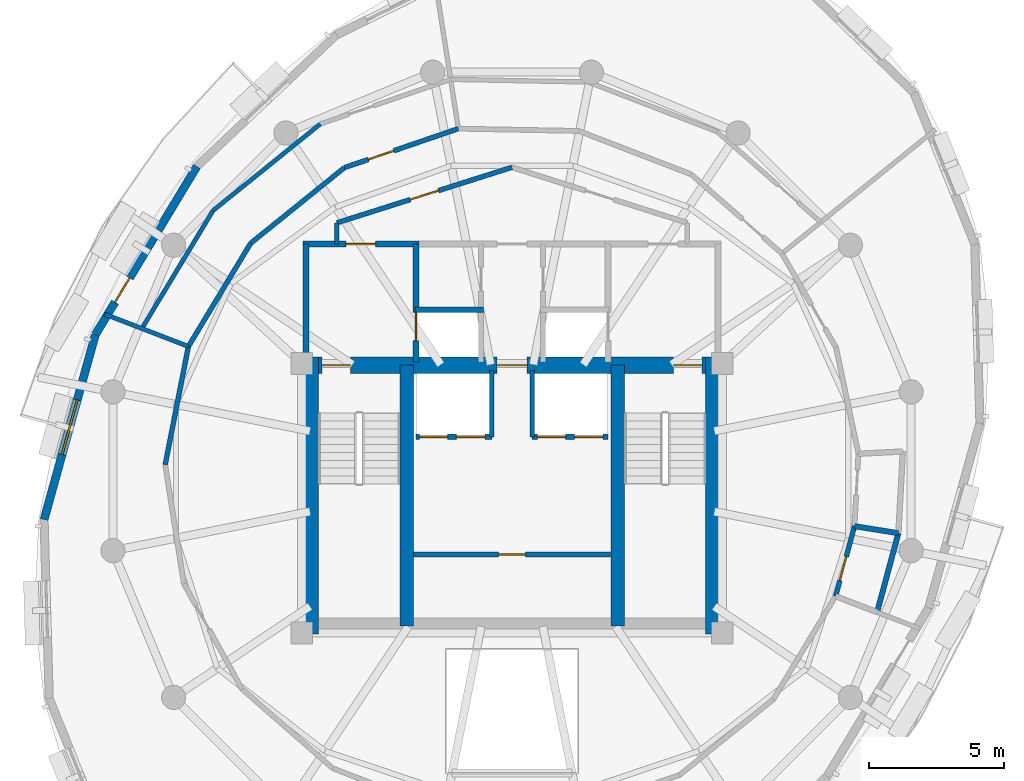
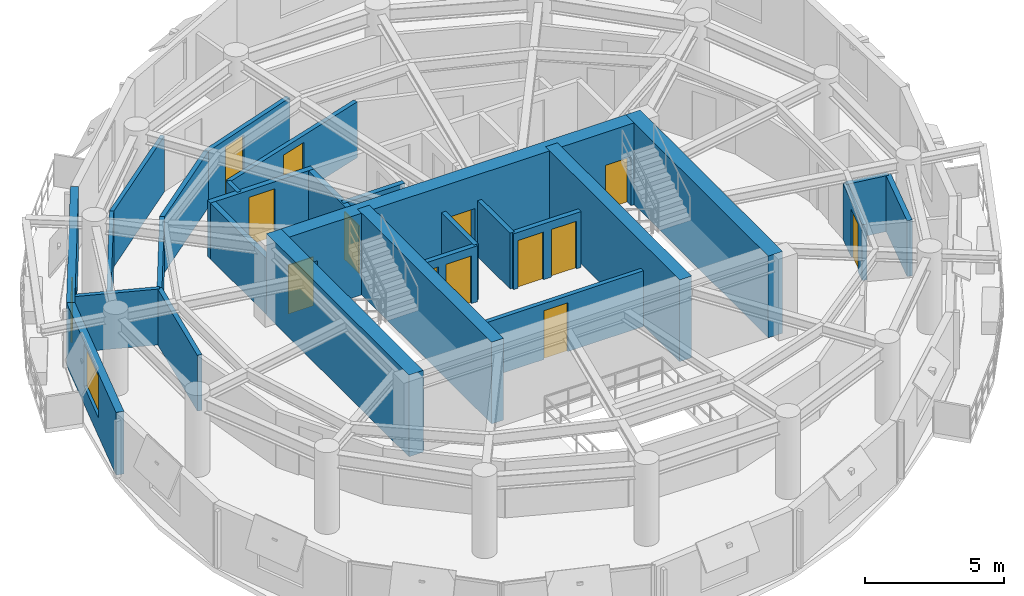
# One storey, part 7 of 11: 28 walls, 14 doors, 1 window, 15 openings.
"""IFC4 building model written with IfcOpenShell, lengths in metres."""

from ifc_helpers import new_model, si_unit, direction, frame, frame_2d, origin, place, context, subcontext, project, spatial, rectangle, extrude, material, layer, layer_set, type_object, element, fill, save


model = new_model("IFC4")

# Units and contexts
model_context = context("Model", 3, precision=1e-05, world=origin(), true_north=direction((0.0, 1.0)))
body_context = subcontext(model_context, "Body", "Model", "MODEL_VIEW")
ifc_project = project(units=[si_unit("LENGTHUNIT", "METRE"), si_unit("AREAUNIT", "SQUARE_METRE"), si_unit("VOLUMEUNIT", "CUBIC_METRE"), si_unit("PLANEANGLEUNIT", "RADIAN"), si_unit("MASSUNIT", "GRAM", prefix="KILO"), si_unit("THERMODYNAMICTEMPERATUREUNIT", "KELVIN"), si_unit("POWERUNIT", "WATT")], contexts=[model_context])

# Site, building, storey
site_placement = place(None, origin())
site = spatial("IfcSite", under=ifc_project, at=site_placement, CompositionType="ELEMENT")
building_placement = place(site_placement, origin())
building = spatial("IfcBuilding", under=site, at=building_placement, Name="Ocrelia Relay Tower", CompositionType="ELEMENT")
storey_placement = place(building_placement, frame((0.0, 0.0, 273.60009765625)))
storey = spatial("IfcBuildingStorey", under=building, at=storey_placement, Name="L68", CompositionType="ELEMENT", Elevation=273.60009765625)

# Wall, openings, doors
ifc_material_1 = material(Name="Concrete C50/60", Category="concrete")
ifc_layer_1 = layer(ifc_material_1, 0.60009765625, Name="Concrete C50/60")
ifc_layer_set_1 = layer_set([ifc_layer_1], Name="Concrete C50/60")
wall_type_1 = type_object("IfcWallType", Name="CW-CORE-600B", PredefinedType="SHEAR", material=ifc_layer_set_1)
wall_1_placement = place(storey_placement, frame((26.221923828125, 29.93798828125, 0.0), z_axis=(0.0, 0.0, 1.0), x_axis=(1.0, 0.0, 0.0)))
wall_1 = element("IfcWall", 1, at=wall_1_placement, inside=storey, type_object=wall_type_1, Name="L68 Core Shear Wall N", PredefinedType="SHEAR", context=body_context, shape_type="SweptSolid", body=[
    extrude(rectangle(XDim=15.566162109375, YDim=0.60009765625, at=frame_2d((7.783203125, 0.0))), origin(), (0.0, 0.0, 1.0), 3.599853515625),
])
opening_1_placement = place(wall_1_placement, frame((0.72802734375, 0.0, 0.0)))
opening_1 = element("IfcOpeningElement", 2, at=opening_1_placement, cuts=wall_1, Name="Opening D-FD90", PredefinedType="OPENING", context=body_context, shape_type="SweptSolid", body=[
    extrude(rectangle(XDim=1.050048828125, YDim=2.14990234375, at=frame_2d((0.52490234375, 1.074951171875))), frame((0.0, 0.31005859375, 0.0), z_axis=(0.0, -1.0, 0.0), x_axis=(1.0, 0.0, 0.0)), (0.0, 0.0, 1.0), 0.6201171875),
])
opening_2_placement = place(wall_1_placement, frame((13.778076171875, 0.0, 0.0)))
opening_2 = element("IfcOpeningElement", 3, at=opening_2_placement, cuts=wall_1, Name="Opening D-FD90", PredefinedType="OPENING", context=body_context, shape_type="SweptSolid", body=[
    extrude(rectangle(XDim=1.050048828125, YDim=2.14990234375, at=frame_2d((0.52490234375, 1.074951171875))), frame((0.0, 0.31005859375, 0.0), z_axis=(0.0, -1.0, 0.0), x_axis=(1.0, 0.0, 0.0)), (0.0, 0.0, 1.0), 0.6201171875),
])
opening_3_placement = place(wall_1_placement, frame((7.22802734375, 0.0, 0.0)))
opening_3 = element("IfcOpeningElement", 4, at=opening_3_placement, cuts=wall_1, Name="Opening D-FD60", PredefinedType="OPENING", context=body_context, shape_type="SweptSolid", body=[
    extrude(rectangle(XDim=1.10009765625, YDim=2.14990234375, at=frame_2d((0.550048828125, 1.074951171875))), frame((0.0, 0.31005859375, 0.0), z_axis=(0.0, -1.0, 0.0), x_axis=(1.0, 0.0, 0.0)), (0.0, 0.0, 1.0), 0.6201171875),
])
ifc_material_2 = material(Name="Timber-core 60-min acoustic fire door", Category="wood")
door_type_1 = type_object("IfcDoorType", Name="DR-LOBBY-FD60-1100", OperationType="NOTDEFINED", PredefinedType="DOOR", material=ifc_material_2)
door_1_placement = place(opening_3_placement, origin())
door_1 = element("IfcDoor", 5, at=door_1_placement, inside=storey, type_object=door_type_1, Name="L68 Core Lift Lobby North Fire Door", OperationType="SINGLE_SWING_RIGHT", OverallHeight=2.14990234375, OverallWidth=1.10009765625, PredefinedType="DOOR", context=body_context, shape_type="SweptSolid", body=[
    extrude(rectangle(XDim=1.10009765625, YDim=2.14990234375, at=frame_2d((0.550048828125, 1.074951171875))), frame((0.0, 0.02490234375, 0.0), z_axis=(0.0, -1.0, 0.0), x_axis=(1.0, 0.0, 0.0)), (0.0, 0.0, 1.0), 0.050048828125),
])
fill(opening_3, door_1)
ifc_material_3 = material(Name="Steel S355 90-min fire door", Category="steel")
door_type_2 = type_object("IfcDoorType", Name="DR-STAIR-FD90-1050", OperationType="NOTDEFINED", PredefinedType="DOOR", material=ifc_material_3)
door_2_placement = place(opening_1_placement, origin())
door_2 = element("IfcDoor", 6, at=door_2_placement, inside=storey, type_object=door_type_2, Name="L68 Stair ST1 Fire Door", OperationType="SINGLE_SWING_RIGHT", OverallHeight=2.14990234375, OverallWidth=1.050048828125, PredefinedType="DOOR", context=body_context, shape_type="SweptSolid", body=[
    extrude(rectangle(XDim=1.050048828125, YDim=2.14990234375, at=frame_2d((0.52490234375, 1.074951171875))), frame((0.0, 0.02490234375, 0.0), z_axis=(0.0, -1.0, 0.0), x_axis=(1.0, 0.0, 0.0)), (0.0, 0.0, 1.0), 0.050048828125),
])
fill(opening_1, door_2)
door_3_placement = place(opening_2_placement, origin())
door_3 = element("IfcDoor", 7, at=door_3_placement, inside=storey, type_object=door_type_2, Name="L68 Stair ST2 Fire Door", OperationType="SINGLE_SWING_LEFT", OverallHeight=2.14990234375, OverallWidth=1.050048828125, PredefinedType="DOOR", context=body_context, shape_type="SweptSolid", body=[
    extrude(rectangle(XDim=1.050048828125, YDim=2.14990234375, at=frame_2d((0.52490234375, 1.074951171875))), frame((0.0, 0.02490234375, 0.0), z_axis=(0.0, -1.0, 0.0), x_axis=(1.0, 0.0, 0.0)), (0.0, 0.0, 1.0), 0.050048828125),
])
fill(opening_2, door_3)

# Walls
for number, where, z_axis, x_axis, name in (
    (8, (26.52197265625, 19.9619140625, 0.0), (0.0, 0.0, 1.0), (0.0, 1.0, 0.0), "L68 Core Shear Wall W"),
    (9, (41.488037109375, 19.9619140625, 0.0), (0.0, 0.0, 1.0), (0.0, 1.0, 0.0), "L68 Core Shear Wall E"),
):
    element("IfcWall", number, at=place(storey_placement, frame(where, z_axis=z_axis, x_axis=x_axis)), inside=storey, type_object=wall_type_1, Name=name, PredefinedType="SHEAR", context=body_context, shape_type="SweptSolid", body=[
        extrude(rectangle(XDim=10.276123046875, YDim=0.60009765625, at=frame_2d((5.13818359375, 0.0))), origin(), (0.0, 0.0, 1.0), 3.599853515625),
    ])
for number, where, z_axis, x_axis, name in (
    (10, (30.087890625, 20.261962890625, 0.0), (0.0, 0.0, 1.0), (0.0, 1.0, 0.0), "L68 Core Shear Wall SPW"),
    (11, (37.922119140625, 20.261962890625, 0.0), (0.0, 0.0, 1.0), (0.0, 1.0, 0.0), "L68 Core Shear Wall SPE"),
):
    element("IfcWall", number, at=place(storey_placement, frame(where, z_axis=z_axis, x_axis=x_axis)), inside=storey, type_object=wall_type_1, Name=name, PredefinedType="SHEAR", context=body_context, shape_type="SweptSolid", body=[
        extrude(rectangle(XDim=9.676025390625, YDim=0.5, at=frame_2d((4.837890625, 0.0))), origin(), (0.0, 0.0, 1.0), 3.599853515625),
    ])

# Wall, opening, door
ifc_material_4 = material(Name="Gypsum Fireboard Partition EI60", Category="gypsum")
ifc_layer_2 = layer(ifc_material_4, 0.179931640625, Name="Gypsum Fireboard Partition EI60")
ifc_layer_set_2 = layer_set([ifc_layer_2], Name="Gypsum Fireboard Partition EI60")
wall_type_2 = type_object("IfcWallType", Name="W-CORR-EI60-180", PredefinedType="PARTITIONING", material=ifc_layer_set_2)
wall_2_placement = place(storey_placement, frame((30.35009765625, 22.919921875, 0.0), z_axis=(0.0, 0.0, 1.0), x_axis=(1.0, 0.0, 0.0)))
wall_2 = element("IfcWall", 12, at=wall_2_placement, inside=storey, type_object=wall_type_2, Name="L68 Reclaimed Core Room Partition", PredefinedType="PARTITIONING", context=body_context, shape_type="SweptSolid", body=[
    extrude(rectangle(XDim=7.2998046875, YDim=0.179931640625, at=frame_2d((3.64990234375, 0.0))), origin(), (0.0, 0.0, 1.0), 2.4599609375),
])
opening_4_placement = place(wall_2_placement, frame((3.14990234375, 0.0, 0.0)))
opening_4 = element("IfcOpeningElement", 13, at=opening_4_placement, cuts=wall_2, Name="Opening D-RM100", PredefinedType="OPENING", context=body_context, shape_type="SweptSolid", body=[
    extrude(rectangle(XDim=1.0, YDim=2.14990234375, at=frame_2d((0.5, 1.074951171875))), frame((0.0, 0.10009765625, 0.0), z_axis=(0.0, -1.0, 0.0), x_axis=(1.0, 0.0, 0.0)), (0.0, 0.0, 1.0), 0.199951171875),
])
ifc_material_5 = material(Name="Acoustic oak veneer fire door", Category="wood")
door_type_3 = type_object("IfcDoorType", Name="DR-ROOM-FD60-1000", OperationType="NOTDEFINED", PredefinedType="DOOR", material=ifc_material_5)
door_4_placement = place(opening_4_placement, origin())
door_4 = element("IfcDoor", 14, at=door_4_placement, inside=storey, type_object=door_type_3, Name="L68 Calibration Laboratory Door", OperationType="SINGLE_SWING_RIGHT", OverallHeight=2.14990234375, OverallWidth=1.0, PredefinedType="DOOR", context=body_context, shape_type="SweptSolid", body=[
    extrude(rectangle(XDim=1.0, YDim=2.14990234375, at=frame_2d((0.5, 1.074951171875))), frame((0.0, 0.02490234375, 0.0), z_axis=(0.0, -1.0, 0.0), x_axis=(1.0, 0.0, 0.0)), (0.0, 0.0, 1.0), 0.050048828125),
])
fill(opening_4, door_4)

# Wall
wall_3_placement = place(storey_placement, frame((27.5, 34.429931640625, 0.0), z_axis=(0.0, 0.0, 1.0), x_axis=(0.0, 1.0, 0.0)))
element("IfcWall", 15, at=wall_3_placement, inside=storey, type_object=wall_type_2, Name="L68 Smoke Lobby West Return", PredefinedType="PARTITIONING", context=body_context, shape_type="SweptSolid", body=[
    extrude(rectangle(XDim=0.7890625, YDim=0.179931640625, at=frame_2d((0.39453125, 0.0))), origin(), (0.0, 0.0, 1.0), 2.4599609375),
])

# Wall, opening, door
wall_4_placement = place(storey_placement, frame((27.5, 35.218994140625, 0.0), z_axis=(0.0, 0.0, 1.0), x_axis=(0.953228121756, 0.302251795518, 0.0)))
wall_4 = element("IfcWall", 16, at=wall_4_placement, inside=storey, type_object=wall_type_2, Name="L68 North Smoke Lobby W Screen Wall", PredefinedType="PARTITIONING", context=body_context, shape_type="SweptSolid", body=[
    extrude(rectangle(XDim=6.81884765625, YDim=0.179931640625, at=frame_2d((3.409423828125, 0.0))), origin(), (0.0, 0.0, 1.0), 2.4599609375),
])
opening_5_placement = place(wall_4_placement, frame((2.859619140625, 0.0, 0.0)))
opening_5 = element("IfcOpeningElement", 17, at=opening_5_placement, cuts=wall_4, Name="Opening D-FD60", PredefinedType="OPENING", context=body_context, shape_type="SweptSolid", body=[
    extrude(rectangle(XDim=1.10009765625, YDim=2.14990234375, at=frame_2d((0.550048828125, 1.074951171875))), frame((0.0, 0.10009765625, 0.0), z_axis=(0.0, -1.0, 0.0), x_axis=(1.0, 0.0, 0.0)), (0.0, 0.0, 1.0), 0.199951171875),
])
door_5_placement = place(opening_5_placement, origin())
door_5 = element("IfcDoor", 18, at=door_5_placement, inside=storey, type_object=door_type_1, Name="L68 North Smoke Lobby W Fire Door", OperationType="SINGLE_SWING_LEFT", OverallHeight=2.14990234375, OverallWidth=1.10009765625, PredefinedType="DOOR", context=body_context, shape_type="SweptSolid", body=[
    extrude(rectangle(XDim=1.10009765625, YDim=2.14990234375, at=frame_2d((0.550048828125, 1.074951171875))), frame((0.0, 0.02490234375, 0.0), z_axis=(0.0, -1.0, 0.0), x_axis=(1.0, 0.0, 0.0)), (0.0, 0.0, 1.0), 0.050048828125),
])
fill(opening_5, door_5)

wall_5_placement = place(storey_placement, frame((46.007080078125, 21.36669921875, 0.0), z_axis=(0.0, 0.0, 1.0), x_axis=(0.260490794711, 0.965476331077, 0.0)))
wall_5 = element("IfcWall", 19, at=wall_5_placement, inside=storey, type_object=wall_type_2, Name="L68 Staff Toilet Corridor Wall", PredefinedType="PARTITIONING", context=body_context, shape_type="SweptSolid", body=[
    extrude(rectangle(XDim=2.69091796875, YDim=0.179931640625, at=frame_2d((1.345458984375, 0.0))), origin(), (0.0, 0.0, 1.0), 2.4599609375),
])
opening_6_placement = place(wall_5_placement, frame((0.603271484375, 0.0, 0.0)))
opening_6 = element("IfcOpeningElement", 20, at=opening_6_placement, cuts=wall_5, Name="Opening D-WC92", PredefinedType="OPENING", context=body_context, shape_type="SweptSolid", body=[
    extrude(rectangle(XDim=0.919921875, YDim=2.10009765625, at=frame_2d((0.4599609375, 1.050048828125))), frame((0.0, 0.10009765625, 0.0), z_axis=(0.0, -1.0, 0.0), x_axis=(1.0, 0.0, 0.0)), (0.0, 0.0, 1.0), 0.199951171875),
])
ifc_material_6 = material(Name="Laminate washroom door", Category="wood")
door_type_4 = type_object("IfcDoorType", Name="DR-WC-920", OperationType="NOTDEFINED", PredefinedType="DOOR", material=ifc_material_6)
door_6_placement = place(opening_6_placement, origin())
door_6 = element("IfcDoor", 21, at=door_6_placement, inside=storey, type_object=door_type_4, Name="L68 Staff Toilet Door", OperationType="SINGLE_SWING_LEFT", OverallHeight=2.10009765625, OverallWidth=0.919921875, PredefinedType="DOOR", context=body_context, shape_type="SweptSolid", body=[
    extrude(rectangle(XDim=0.919921875, YDim=2.10009765625, at=frame_2d((0.4599609375, 1.050048828125))), frame((0.0, 0.02490234375, 0.0), z_axis=(0.0, -1.0, 0.0), x_axis=(1.0, 0.0, 0.0)), (0.0, 0.0, 1.0), 0.050048828125),
])
fill(opening_6, door_6)

wall_6_placement = place(storey_placement, frame((32.0087890625, 38.715087890625, 0.0), z_axis=(0.0, 0.0, 1.0), x_axis=(-0.946067972385, -0.323968195394, 0.0)))
wall_6 = element("IfcWall", 22, at=wall_6_placement, inside=storey, type_object=wall_type_2, Name="L68 Antenna Chamber Studio Corridor Partition 1", PredefinedType="PARTITIONING", context=body_context, shape_type="SweptSolid", body=[
    extrude(rectangle(XDim=4.469482421875, YDim=0.179931640625, at=frame_2d((2.23486328125, 0.0))), origin(), (0.0, 0.0, 1.0), 2.4599609375),
])
opening_7_placement = place(wall_6_placement, frame((2.52734375, 0.0, 0.0)))
opening_7 = element("IfcOpeningElement", 23, at=opening_7_placement, cuts=wall_6, Name="Opening D-RM100", PredefinedType="OPENING", context=body_context, shape_type="SweptSolid", body=[
    extrude(rectangle(XDim=1.0, YDim=2.14990234375, at=frame_2d((0.5, 1.074951171875))), frame((0.0, 0.10009765625, 0.0), z_axis=(0.0, -1.0, 0.0), x_axis=(1.0, 0.0, 0.0)), (0.0, 0.0, 1.0), 0.199951171875),
])
door_7_placement = place(opening_7_placement, origin())
door_7 = element("IfcDoor", 24, at=door_7_placement, inside=storey, type_object=door_type_3, Name="L68 Antenna Chamber Studio Entrance Door", OperationType="SINGLE_SWING_RIGHT", OverallHeight=2.14990234375, OverallWidth=1.0, PredefinedType="DOOR", context=body_context, shape_type="SweptSolid", body=[
    extrude(rectangle(XDim=1.0, YDim=2.14990234375, at=frame_2d((0.5, 1.074951171875))), frame((0.0, 0.02490234375, 0.0), z_axis=(0.0, -1.0, 0.0), x_axis=(1.0, 0.0, 0.0)), (0.0, 0.0, 1.0), 0.050048828125),
])
fill(opening_7, door_7)

# Walls
wall_7_placement = place(storey_placement, frame((27.7802734375, 37.26708984375, 0.0), z_axis=(0.0, 0.0, 1.0), x_axis=(-0.778283015722, -0.627913646483, 0.0)))
element("IfcWall", 25, at=wall_7_placement, inside=storey, type_object=wall_type_2, Name="L68 Antenna Chamber Studio Corridor Partition 2", PredefinedType="PARTITIONING", context=body_context, shape_type="SweptSolid", body=[
    extrude(rectangle(XDim=4.4697265625, YDim=0.179931640625, at=frame_2d((2.23486328125, 0.0))), origin(), (0.0, 0.0, 1.0), 2.4599609375),
])
wall_8_placement = place(storey_placement, frame((24.301513671875, 34.46044921875, 0.0), z_axis=(0.0, 0.0, 1.0), x_axis=(-0.516518599696, -0.856275969631, 0.0)))
element("IfcWall", 26, at=wall_8_placement, inside=storey, type_object=wall_type_2, Name="L68 Antenna Chamber Studio Corridor Partition 3", PredefinedType="PARTITIONING", context=body_context, shape_type="SweptSolid", body=[
    extrude(rectangle(XDim=4.469482421875, YDim=0.179931640625, at=frame_2d((2.23486328125, 0.0))), origin(), (0.0, 0.0, 1.0), 2.4599609375),
])
wall_9_placement = place(storey_placement, frame((21.992919921875, 30.63330078125, 0.0), z_axis=(0.0, 0.0, 1.0), x_axis=(-0.192533060664, -0.981290487344, 0.0)))
element("IfcWall", 27, at=wall_9_placement, inside=storey, type_object=wall_type_2, Name="L68 Satellite Telemetry Lab Corridor Partition 1", PredefinedType="PARTITIONING", context=body_context, shape_type="SweptSolid", body=[
    extrude(rectangle(XDim=4.469970703125, YDim=0.179931640625, at=frame_2d((2.23486328125, 0.0))), origin(), (0.0, 0.0, 1.0), 2.4599609375),
])

# Wall, opening, door
ifc_material_7 = material(Name="Precast concrete C40/50 with oxide terracotta", Category="masonry")
ifc_layer_3 = layer(ifc_material_7, 0.300048828125, Name="Precast concrete C40/50 with oxide terracotta")
ifc_layer_set_3 = layer_set([ifc_layer_3], Name="Precast concrete C40/50 with oxide terracotta")
wall_type_3 = type_object("IfcWallType", Name="W-EXT-TERR-300", PredefinedType="SOLIDWALL", material=ifc_layer_set_3)
wall_10_placement = place(storey_placement, frame((22.30712890625, 37.312255859375, 0.0), z_axis=(0.0, 0.0, 1.0), x_axis=(-0.516551999099, -0.856255821719, 0.0)))
wall_10 = element("IfcWall", 28, at=wall_10_placement, inside=storey, type_object=wall_type_3, Name="L68 Oxide Terracotta Facade Wall 05", PredefinedType="SOLIDWALL", context=body_context, shape_type="SweptSolid", body=[
    extrude(rectangle(XDim=7.293212890625, YDim=0.300048828125, at=frame_2d((3.646484375, 0.0))), origin(), (0.0, 0.0, 1.0), 2.760009765625),
])
opening_8_placement = place(wall_10_placement, frame((4.830078125, 0.0, 0.0)))
opening_8 = element("IfcOpeningElement", 29, at=opening_8_placement, cuts=wall_10, Name="Opening DB-105", PredefinedType="OPENING", context=body_context, shape_type="SweptSolid", body=[
    extrude(rectangle(XDim=1.050048828125, YDim=2.14990234375, at=frame_2d((0.52490234375, 1.074951171875))), frame((0.0, 0.16015625, 0.0), z_axis=(0.0, -1.0, 0.0), x_axis=(1.0, 0.0, 0.0)), (0.0, 0.0, 1.0), 0.320068359375),
])
ifc_material_8 = material(Name="Thermally broken aluminium and clear glass", Category="aluminium")
door_type_5 = type_object("IfcDoorType", Name="DR-BALC-1050", OperationType="NOTDEFINED", PredefinedType="DOOR", material=ifc_material_8)
door_8_placement = place(opening_8_placement, origin())
door_8 = element("IfcDoor", 30, at=door_8_placement, inside=storey, type_object=door_type_5, Name="L68 Planted Loggia Balcony Door B1", OperationType="SINGLE_SWING_LEFT", OverallHeight=2.14990234375, OverallWidth=1.050048828125, PredefinedType="DOOR", context=body_context, shape_type="SweptSolid", body=[
    extrude(rectangle(XDim=1.050048828125, YDim=2.14990234375, at=frame_2d((0.52490234375, 1.074951171875))), frame((0.0, 0.02490234375, 0.0), z_axis=(0.0, -1.0, 0.0), x_axis=(1.0, 0.0, 0.0)), (0.0, 0.0, 1.0), 0.050048828125),
])
fill(opening_8, door_8)

# Wall, opening, window
wall_11_placement = place(storey_placement, frame((18.539794921875, 31.0673828125, 0.0), z_axis=(0.0, 0.0, 1.0), x_axis=(-0.267362470767, -0.963596030101, 0.0)))
wall_11 = element("IfcWall", 31, at=wall_11_placement, inside=storey, type_object=wall_type_3, Name="L68 Oxide Terracotta Facade Wall 06", PredefinedType="SOLIDWALL", context=body_context, shape_type="SweptSolid", body=[
    extrude(rectangle(XDim=7.115234375, YDim=0.300048828125, at=frame_2d((3.5576171875, 0.0))), origin(), (0.0, 0.0, 1.0), 2.760009765625),
])
opening_9_placement = place(wall_11_placement, frame((2.508056640625, 0.0, 0.800048828125)))
opening_9 = element("IfcOpeningElement", 32, at=opening_9_placement, cuts=wall_11, Name="Opening W-07", PredefinedType="OPENING", context=body_context, shape_type="SweptSolid", body=[
    extrude(rectangle(XDim=2.10009765625, YDim=1.85009765625, at=frame_2d((1.050048828125, 0.925048828125))), frame((0.0, 0.16015625, 0.0), z_axis=(0.0, -1.0, 0.0), x_axis=(1.0, 0.0, 0.0)), (0.0, 0.0, 1.0), 0.320068359375),
])
ifc_material_9 = material(Name="Clear double-glazed low-E glass", Category="glass")
window_type = type_object("IfcWindowType", Name="WIN-Z4-2100x2200", PartitioningType="DOUBLE_PANEL_VERTICAL", PredefinedType="WINDOW", material=ifc_material_9)
window_placement = place(opening_9_placement, origin())
window = element("IfcWindow", 33, at=window_placement, inside=storey, type_object=window_type, Name="L68 Facade Module Window 06", OverallHeight=1.85009765625, OverallWidth=2.10009765625, PartitioningType="SINGLE_PANEL", PredefinedType="WINDOW", context=body_context, shape_type="SweptSolid", body=[
    extrude(rectangle(XDim=2.10009765625, YDim=1.85009765625, at=frame_2d((1.050048828125, 0.925048828125))), frame((0.0, 0.030029296875, 0.0), z_axis=(0.0, -1.0, 0.0), x_axis=(1.0, 0.0, 0.0)), (0.0, 0.0, 1.0), 0.06005859375),
])
fill(opening_9, window)

# Wall
ifc_layer_4 = layer(ifc_material_1, 0.219970703125, Name="Concrete C50/60")
ifc_layer_set_4 = layer_set([ifc_layer_4], Name="Concrete C50/60")
wall_type_4 = type_object("IfcWallType", Name="W-FFL-EI120-220", PredefinedType="SOLIDWALL", material=ifc_layer_set_4)
wall_12_placement = place(storey_placement, frame((26.35009765625, 30.050048828125, 0.0), z_axis=(0.0, 0.0, 1.0), x_axis=(0.0, 1.0, 0.0)))
element("IfcWall", 34, at=wall_12_placement, inside=storey, type_object=wall_type_4, Name="L68 W Fire Service Lift Lobby West Wall", PredefinedType="SOLIDWALL", context=body_context, shape_type="SweptSolid", body=[
    extrude(rectangle(XDim=4.3798828125, YDim=0.219970703125, at=frame_2d((2.18994140625, 0.0))), origin(), (0.0, 0.0, 1.0), 2.4599609375),
])

# Wall, opening, door
wall_13_placement = place(storey_placement, frame((30.43994140625, 30.050048828125, 0.0), z_axis=(0.0, 0.0, 1.0), x_axis=(0.0, 1.0, 0.0)))
wall_13 = element("IfcWall", 35, at=wall_13_placement, inside=storey, type_object=wall_type_4, Name="L68 W Fire Service Lift Lobby East Wall", PredefinedType="SOLIDWALL", context=body_context, shape_type="SweptSolid", body=[
    extrude(rectangle(XDim=4.3798828125, YDim=0.219970703125, at=frame_2d((2.18994140625, 0.0))), origin(), (0.0, 0.0, 1.0), 2.4599609375),
])
opening_10_placement = place(wall_13_placement, frame((0.800048828125, 0.0, 0.0)))
opening_10 = element("IfcOpeningElement", 36, at=opening_10_placement, cuts=wall_13, Name="Opening LD-FFL1", PredefinedType="OPENING", context=body_context, shape_type="SweptSolid", body=[
    extrude(rectangle(XDim=1.050048828125, YDim=2.10009765625, at=frame_2d((0.52490234375, 1.050048828125))), frame((0.0, 0.1201171875, 0.0), z_axis=(0.0, -1.0, 0.0), x_axis=(1.0, 0.0, 0.0)), (0.0, 0.0, 1.0), 0.239990234375),
])
ifc_material_10 = material(Name="Brushed stainless steel S355 lift landing door", Category="steel")
door_type_6 = type_object("IfcDoorType", Name="DR-LIFT-LAND-1050", OperationType="DOUBLE_DOOR_SLIDING", PredefinedType="USERDEFINED", material=ifc_material_10)
door_9_placement = place(opening_10_placement, origin())
door_9 = element("IfcDoor", 37, at=door_9_placement, inside=storey, type_object=door_type_6, Name="L68 Firefighting Lift FFL1 Sliding Landing Door", ObjectType="LANDING DOOR", OperationType="DOUBLE_DOOR_SLIDING", OverallHeight=2.10009765625, OverallWidth=1.050048828125, PredefinedType="USERDEFINED", context=body_context, shape_type="SweptSolid", body=[
    extrude(rectangle(XDim=1.050048828125, YDim=2.10009765625, at=frame_2d((0.52490234375, 1.050048828125))), frame((0.0, 0.02490234375, 0.0), z_axis=(0.0, -1.0, 0.0), x_axis=(1.0, 0.0, 0.0)), (0.0, 0.0, 1.0), 0.050048828125),
])
fill(opening_10, door_9)

wall_14_placement = place(storey_placement, frame((26.239990234375, 34.429931640625, 0.0), z_axis=(0.0, 0.0, 1.0), x_axis=(1.0, 0.0, 0.0)))
wall_14 = element("IfcWall", 38, at=wall_14_placement, inside=storey, type_object=wall_type_4, Name="L68 W Fire Service Lift Lobby North Wall", PredefinedType="SOLIDWALL", context=body_context, shape_type="SweptSolid", body=[
    extrude(rectangle(XDim=4.31005859375, YDim=0.219970703125, at=frame_2d((2.155029296875, 0.0))), origin(), (0.0, 0.0, 1.0), 2.4599609375),
])
opening_11_placement = place(wall_14_placement, frame((1.60009765625, 0.0, 0.0)))
opening_11 = element("IfcOpeningElement", 39, at=opening_11_placement, cuts=wall_14, Name="Opening D-FD60", PredefinedType="OPENING", context=body_context, shape_type="SweptSolid", body=[
    extrude(rectangle(XDim=1.10009765625, YDim=2.14990234375, at=frame_2d((0.550048828125, 1.074951171875))), frame((0.0, 0.1201171875, 0.0), z_axis=(0.0, -1.0, 0.0), x_axis=(1.0, 0.0, 0.0)), (0.0, 0.0, 1.0), 0.239990234375),
])
door_10_placement = place(opening_11_placement, origin())
door_10 = element("IfcDoor", 40, at=door_10_placement, inside=storey, type_object=door_type_1, Name="L68 W Fire Service Lift Lobby Exit Door", OperationType="SINGLE_SWING_LEFT", OverallHeight=2.14990234375, OverallWidth=1.10009765625, PredefinedType="DOOR", context=body_context, shape_type="SweptSolid", body=[
    extrude(rectangle(XDim=1.10009765625, YDim=2.14990234375, at=frame_2d((0.550048828125, 1.074951171875))), frame((0.0, 0.02490234375, 0.0), z_axis=(0.0, -1.0, 0.0), x_axis=(1.0, 0.0, 0.0)), (0.0, 0.0, 1.0), 0.050048828125),
])
fill(opening_11, door_10)

# Walls
ifc_material_11 = material(Name="Acoustic Fireboard Partition EI60", Category="gypsum")
ifc_layer_5 = layer(ifc_material_11, 0.159912109375, Name="Acoustic Fireboard Partition EI60")
ifc_layer_set_5 = layer_set([ifc_layer_5], Name="Acoustic Fireboard Partition EI60")
wall_type_5 = type_object("IfcWallType", Name="W-PART-160", PredefinedType="PARTITIONING", material=ifc_layer_set_5)
wall_15_placement = place(storey_placement, frame((21.992919921875, 30.63330078125, 0.0), z_axis=(0.0, 0.0, 1.0), x_axis=(-0.932971068785, 0.359951364507, 0.0)))
element("IfcWall", 41, at=wall_15_placement, inside=storey, type_object=wall_type_5, Name="L68 Antenna Chamber Studio Radial Partition", PredefinedType="PARTITIONING", context=body_context, shape_type="SweptSolid", body=[
    extrude(rectangle(XDim=3.3310546875, YDim=0.159912109375, at=frame_2d((1.66552734375, 0.0))), origin(), (0.0, 0.0, 1.0), 2.4599609375),
])
for number, where, z_axis, x_axis, name in (
    (42, (26.885986328125, 38.88671875, 0.0), (0.0, 0.0, 1.0), (-0.778248151597, -0.627956857225, 0.0), "L68 Perimeter Antenna Chamber Studio Mid-Ring Partition 2"),
    (43, (22.907470703125, 35.676513671875, 0.0), (0.0, 0.0, 1.0), (-0.516552088077, -0.856255768041, 0.0), "L68 Perimeter Antenna Chamber Studio Mid-Ring Partition 3"),
):
    element("IfcWall", number, at=place(storey_placement, frame(where, z_axis=z_axis, x_axis=x_axis)), inside=storey, type_object=wall_type_5, Name=name, PredefinedType="PARTITIONING", context=body_context, shape_type="SweptSolid", body=[
        extrude(rectangle(XDim=5.112060546875, YDim=0.159912109375, at=frame_2d((2.55615234375, 0.0))), origin(), (0.0, 0.0, 1.0), 2.4599609375),
    ])
ifc_material_12 = material(Name="Moisture-Resistant Fireboard Chase Wall EI60", Category="gypsum")
ifc_layer_6 = layer(ifc_material_12, 0.199951171875, Name="Moisture-Resistant Fireboard Chase Wall EI60")
ifc_layer_set_6 = layer_set([ifc_layer_6], Name="Moisture-Resistant Fireboard Chase Wall EI60")
wall_type_6 = type_object("IfcWallType", Name="W-PLUMB-200", PredefinedType="PLUMBINGWALL", material=ifc_layer_set_6)
wall_16_placement = place(storey_placement, frame((46.7080078125, 23.964599609375, 0.0), z_axis=(0.0, 0.0, 1.0), x_axis=(0.987410142155, -0.158180944397, 0.0)))
element("IfcWall", 44, at=wall_16_placement, inside=storey, type_object=wall_type_6, Name="L68 Staff Toilet Plumbing Radial Wall", PredefinedType="PLUMBINGWALL", context=body_context, shape_type="SweptSolid", body=[
    extrude(rectangle(XDim=1.64990234375, YDim=0.199951171875, at=frame_2d((0.824951171875, 0.0))), origin(), (0.0, 0.0, 1.0), 2.4599609375),
])
wall_17_placement = place(storey_placement, frame((47.54638671875, 20.772705078125, 0.0), z_axis=(0.0, 0.0, 1.0), x_axis=(0.260489695693, 0.965476627598, 0.0)))
element("IfcWall", 45, at=wall_17_placement, inside=storey, type_object=wall_type_6, Name="L68 Staff Toilet Back Plumbing Wall", PredefinedType="PLUMBINGWALL", context=body_context, shape_type="SweptSolid", body=[
    extrude(rectangle(XDim=3.03564453125, YDim=0.199951171875, at=frame_2d((1.517822265625, 0.0))), origin(), (0.0, 0.0, 1.0), 2.4599609375),
])
ifc_layer_7 = layer(ifc_material_1, 0.199951171875, Name="Concrete C50/60")
ifc_layer_set_7 = layer_set([ifc_layer_7], Name="Concrete C50/60")
wall_type_7 = type_object("IfcWallType", Name="W-SHAFT-EI120-200", PredefinedType="SOLIDWALL", material=ifc_layer_set_7)
wall_18_placement = place(storey_placement, frame((30.39990234375, 32.0, 0.0), z_axis=(0.0, 0.0, 1.0), x_axis=(1.0, 0.0, 0.0)))
element("IfcWall", 46, at=wall_18_placement, inside=storey, type_object=wall_type_7, Name="L68 FFL1 Hoistway North Wall", PredefinedType="SOLIDWALL", context=body_context, shape_type="SweptSolid", body=[
    extrude(rectangle(XDim=2.550048828125, YDim=0.199951171875, at=frame_2d((1.27490234375, 0.0))), origin(), (0.0, 0.0, 1.0), 2.4599609375),
])

# Wall, openings, doors
wall_19_placement = place(storey_placement, frame((30.43994140625, 27.280029296875, 0.0), z_axis=(0.0, 0.0, 1.0), x_axis=(1.0, 0.0, 0.0)))
wall_19 = element("IfcWall", 47, at=wall_19_placement, inside=storey, type_object=wall_type_7, Name="L68 High-Rise Lift Hoistway Wall W", PredefinedType="SOLIDWALL", context=body_context, shape_type="SweptSolid", body=[
    extrude(rectangle(XDim=2.81005859375, YDim=0.199951171875, at=frame_2d((1.405029296875, 0.0))), origin(), (0.0, 0.0, 1.0), 2.4599609375),
])
opening_12_placement = place(wall_19_placement, frame((0.1201171875, 0.0, 0.0)))
opening_12 = element("IfcOpeningElement", 48, at=opening_12_placement, cuts=wall_19, Name="Opening LD-PL5", PredefinedType="OPENING", context=body_context, shape_type="SweptSolid", body=[
    extrude(rectangle(XDim=1.050048828125, YDim=2.10009765625, at=frame_2d((0.52490234375, 1.050048828125))), frame((0.0, 0.10986328125, 0.0), z_axis=(0.0, -1.0, 0.0), x_axis=(1.0, 0.0, 0.0)), (0.0, 0.0, 1.0), 0.219970703125),
])
opening_13_placement = place(wall_19_placement, frame((1.5, 0.0, 0.0)))
opening_13 = element("IfcOpeningElement", 49, at=opening_13_placement, cuts=wall_19, Name="Opening LD-PL6", PredefinedType="OPENING", context=body_context, shape_type="SweptSolid", body=[
    extrude(rectangle(XDim=1.050048828125, YDim=2.10009765625, at=frame_2d((0.52490234375, 1.050048828125))), frame((0.0, 0.10986328125, 0.0), z_axis=(0.0, -1.0, 0.0), x_axis=(1.0, 0.0, 0.0)), (0.0, 0.0, 1.0), 0.219970703125),
])
door_11_placement = place(opening_12_placement, origin())
door_11 = element("IfcDoor", 50, at=door_11_placement, inside=storey, type_object=door_type_6, Name="L68 High-Rise Lift PL5 Sliding Landing Door", ObjectType="LANDING DOOR", OperationType="DOUBLE_DOOR_SLIDING", OverallHeight=2.10009765625, OverallWidth=1.050048828125, PredefinedType="USERDEFINED", context=body_context, shape_type="SweptSolid", body=[
    extrude(rectangle(XDim=1.050048828125, YDim=2.10009765625, at=frame_2d((0.52490234375, 1.050048828125))), frame((0.0, 0.02490234375, 0.0), z_axis=(0.0, -1.0, 0.0), x_axis=(1.0, 0.0, 0.0)), (0.0, 0.0, 1.0), 0.050048828125),
])
fill(opening_12, door_11)
door_12_placement = place(opening_13_placement, origin())
door_12 = element("IfcDoor", 51, at=door_12_placement, inside=storey, type_object=door_type_6, Name="L68 High-Rise Lift PL6 Sliding Landing Door", ObjectType="LANDING DOOR", OperationType="DOUBLE_DOOR_SLIDING", OverallHeight=2.10009765625, OverallWidth=1.050048828125, PredefinedType="USERDEFINED", context=body_context, shape_type="SweptSolid", body=[
    extrude(rectangle(XDim=1.050048828125, YDim=2.10009765625, at=frame_2d((0.52490234375, 1.050048828125))), frame((0.0, 0.02490234375, 0.0), z_axis=(0.0, -1.0, 0.0), x_axis=(1.0, 0.0, 0.0)), (0.0, 0.0, 1.0), 0.050048828125),
])
fill(opening_13, door_12)

# Wall
wall_20_placement = place(storey_placement, frame((33.25, 27.280029296875, 0.0), z_axis=(0.0, 0.0, 1.0), x_axis=(0.0, 1.0, 0.0)))
element("IfcWall", 52, at=wall_20_placement, inside=storey, type_object=wall_type_7, Name="L68 High-Rise Lift Throat Wall W", PredefinedType="SOLIDWALL", context=body_context, shape_type="SweptSolid", body=[
    extrude(rectangle(XDim=2.469970703125, YDim=0.179931640625, at=frame_2d((1.23486328125, 0.0))), origin(), (0.0, 0.0, 1.0), 2.4599609375),
])

# Wall, openings, doors
wall_21_placement = place(storey_placement, frame((34.75, 27.280029296875, 0.0), z_axis=(0.0, 0.0, 1.0), x_axis=(1.0, 0.0, 0.0)))
wall_21 = element("IfcWall", 53, at=wall_21_placement, inside=storey, type_object=wall_type_7, Name="L68 High-Rise Lift Hoistway Wall E", PredefinedType="SOLIDWALL", context=body_context, shape_type="SweptSolid", body=[
    extrude(rectangle(XDim=2.81005859375, YDim=0.199951171875, at=frame_2d((1.405029296875, 0.0))), origin(), (0.0, 0.0, 1.0), 2.4599609375),
])
opening_14_placement = place(wall_21_placement, frame((0.18994140625, 0.0, 0.0)))
opening_14 = element("IfcOpeningElement", 54, at=opening_14_placement, cuts=wall_21, Name="Opening LD-PL7", PredefinedType="OPENING", context=body_context, shape_type="SweptSolid", body=[
    extrude(rectangle(XDim=1.050048828125, YDim=2.10009765625, at=frame_2d((0.52490234375, 1.050048828125))), frame((0.0, 0.10986328125, 0.0), z_axis=(0.0, -1.0, 0.0), x_axis=(1.0, 0.0, 0.0)), (0.0, 0.0, 1.0), 0.219970703125),
])
opening_15_placement = place(wall_21_placement, frame((1.570068359375, 0.0, 0.0)))
opening_15 = element("IfcOpeningElement", 55, at=opening_15_placement, cuts=wall_21, Name="Opening LD-PL8", PredefinedType="OPENING", context=body_context, shape_type="SweptSolid", body=[
    extrude(rectangle(XDim=1.050048828125, YDim=2.10009765625, at=frame_2d((0.52490234375, 1.050048828125))), frame((0.0, 0.10986328125, 0.0), z_axis=(0.0, -1.0, 0.0), x_axis=(1.0, 0.0, 0.0)), (0.0, 0.0, 1.0), 0.219970703125),
])
door_13_placement = place(opening_14_placement, origin())
door_13 = element("IfcDoor", 56, at=door_13_placement, inside=storey, type_object=door_type_6, Name="L68 High-Rise Lift PL7 Sliding Landing Door", ObjectType="LANDING DOOR", OperationType="DOUBLE_DOOR_SLIDING", OverallHeight=2.10009765625, OverallWidth=1.050048828125, PredefinedType="USERDEFINED", context=body_context, shape_type="SweptSolid", body=[
    extrude(rectangle(XDim=1.050048828125, YDim=2.10009765625, at=frame_2d((0.52490234375, 1.050048828125))), frame((0.0, 0.02490234375, 0.0), z_axis=(0.0, -1.0, 0.0), x_axis=(1.0, 0.0, 0.0)), (0.0, 0.0, 1.0), 0.050048828125),
])
fill(opening_14, door_13)
door_14_placement = place(opening_15_placement, origin())
door_14 = element("IfcDoor", 57, at=door_14_placement, inside=storey, type_object=door_type_6, Name="L68 High-Rise Lift PL8 Sliding Landing Door", ObjectType="LANDING DOOR", OperationType="DOUBLE_DOOR_SLIDING", OverallHeight=2.10009765625, OverallWidth=1.050048828125, PredefinedType="USERDEFINED", context=body_context, shape_type="SweptSolid", body=[
    extrude(rectangle(XDim=1.050048828125, YDim=2.10009765625, at=frame_2d((0.52490234375, 1.050048828125))), frame((0.0, 0.02490234375, 0.0), z_axis=(0.0, -1.0, 0.0), x_axis=(1.0, 0.0, 0.0)), (0.0, 0.0, 1.0), 0.050048828125),
])
fill(opening_15, door_14)

# Wall
wall_22_placement = place(storey_placement, frame((34.75, 27.280029296875, 0.0), z_axis=(0.0, 0.0, 1.0), x_axis=(0.0, 1.0, 0.0)))
element("IfcWall", 58, at=wall_22_placement, inside=storey, type_object=wall_type_7, Name="L68 High-Rise Lift Throat Wall E", PredefinedType="SOLIDWALL", context=body_context, shape_type="SweptSolid", body=[
    extrude(rectangle(XDim=2.469970703125, YDim=0.179931640625, at=frame_2d((1.23486328125, 0.0))), origin(), (0.0, 0.0, 1.0), 2.4599609375),
])

save(model, "model.ifc")
